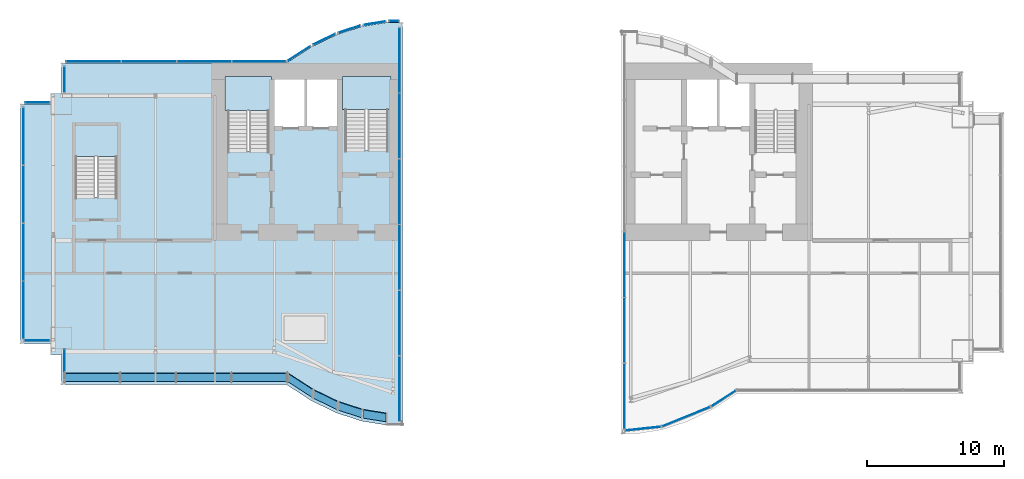
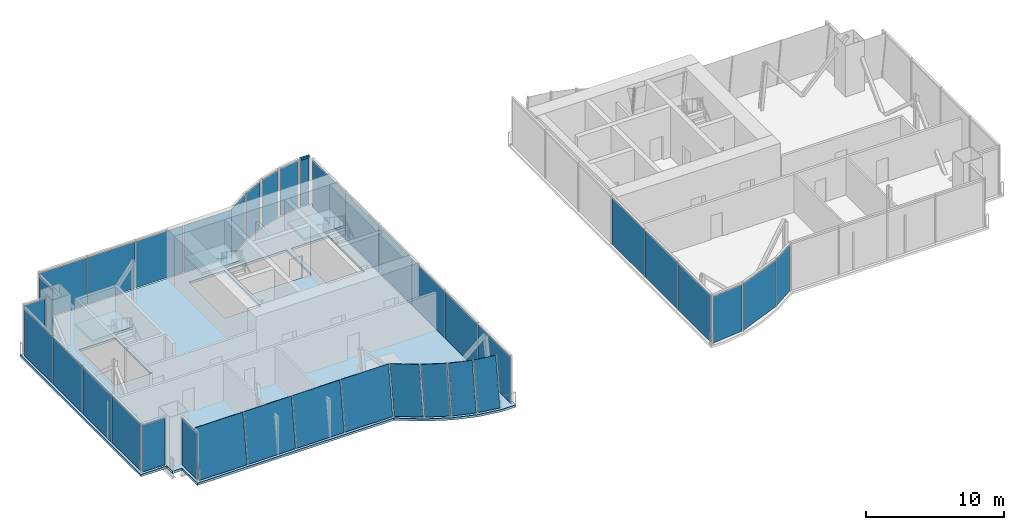
# One storey, part 8 of 14: 37 plates, 4 slabs, 1 member, 22 elements without a shape of their own.
"""IFC4 building model written with IfcOpenShell, lengths in metres."""

import ifcopenshell
import ifcopenshell.guid

model = None  # the IFC model being written
_history = None  # IfcOwnerHistory: only IFC2X3 demands one
_inside = {}  # id of a spatial element -> (the spatial element, [elements in it])
_under = {}  # id of a project, library or spatial element -> (it, [spatial elements below it])
_declared = {}  # id of a project -> (the project, [libraries it declares])
_typed = {}  # id of a type object -> (the type object, [elements of that type])
_made_of = {}  # id of a material, layer set ... -> (it, [elements and type objects made of it])


def new_model(schema):
    """Start an empty IFC model of exactly this schema.

    Asked for "IFC4X3", IfcOpenShell would pick the latest addendum, in which some entities
    have other attributes; the version numbers below select the first issue.
    IFC2X3 requires an IfcOwnerHistory on every rooted entity: one is made here for all.
    """
    global model, _history
    if schema == "IFC4X3":
        model = ifcopenshell.file(schema_version=(4, 3, 0, 0))
    else:
        model = ifcopenshell.file(schema=schema)
    _inside.clear()
    _under.clear()
    _declared.clear()
    _typed.clear()
    _made_of.clear()
    _history = None
    if model.schema == "IFC2X3":
        org = make("IfcOrganization", Name="unknown")
        user = make(
            "IfcPersonAndOrganization",
            ThePerson=make("IfcPerson", FamilyName="unknown"),
            TheOrganization=org,
        )
        app = make(
            "IfcApplication",
            ApplicationDeveloper=org,
            Version="unknown",
            ApplicationFullName="unknown",
            ApplicationIdentifier="unknown",
        )
        _history = make(
            "IfcOwnerHistory",
            OwningUser=user,
            OwningApplication=app,
            ChangeAction="ADDED",
            CreationDate=0,
        )
    return model


def make(cls, **values):
    """One entity of the class cls with the attributes given. An attribute that is None is left unset."""
    return model.create_entity(
        cls, **{name: value for name, value in values.items() if value is not None}
    )


def rooted(cls, **values):
    """An entity with a GlobalId (a new one), such as an element, a storey or a relation."""
    return make(cls, GlobalId=ifcopenshell.guid.new(), OwnerHistory=_history, **values)


def si_unit(unit_type, name, prefix=None):
    """IfcSIUnit, for example si_unit("LENGTHUNIT", "METRE", prefix="MILLI")."""
    return make("IfcSIUnit", UnitType=unit_type, Prefix=prefix, Name=name)


def assignment(units):
    """IfcUnitAssignment: the units of a project."""
    return None if units is None else make("IfcUnitAssignment", Units=units)


def point(xyz):
    """IfcCartesianPoint."""
    return None if xyz is None else make("IfcCartesianPoint", Coordinates=xyz)


def direction(xyz):
    """IfcDirection."""
    return None if xyz is None else make("IfcDirection", DirectionRatios=xyz)


def frame(location, z_axis=None, x_axis=None):
    """IfcAxis2Placement3D, a coordinate frame: its origin and axes. An axis left out is left unset."""
    return make(
        "IfcAxis2Placement3D",
        Location=point(location),
        Axis=direction(z_axis),
        RefDirection=direction(x_axis),
    )


def frame_2d(location, x_axis=None):
    """IfcAxis2Placement2D, a coordinate frame in the plane: its origin and x axis."""
    return make(
        "IfcAxis2Placement2D", Location=point(location), RefDirection=direction(x_axis)
    )


def origin():
    """The frame at (0, 0, 0) with its axes left unset."""
    return frame((0.0, 0.0, 0.0))


def origin_2d():
    """The frame at (0, 0) in the plane with its x axis left unset."""
    return frame_2d((0.0, 0.0))


def place(relative_to, where):
    """IfcLocalPlacement: puts the frame where relative to a parent placement (None: the world)."""
    return make(
        "IfcLocalPlacement", PlacementRelTo=relative_to, RelativePlacement=where
    )


def context(
    kind, dimensions, precision=None, world=None, true_north=None, identifier=None
):
    """IfcGeometricRepresentationContext, for example the 3D "Model" context."""
    return make(
        "IfcGeometricRepresentationContext",
        ContextIdentifier=identifier,
        ContextType=kind,
        CoordinateSpaceDimension=dimensions,
        Precision=precision,
        WorldCoordinateSystem=world,
        TrueNorth=true_north,
    )


def subcontext(parent, identifier, kind, view, scale=None):
    """IfcGeometricRepresentationSubContext, for example "Body" below "Model"."""
    return make(
        "IfcGeometricRepresentationSubContext",
        ContextIdentifier=identifier,
        ContextType=kind,
        ParentContext=parent,
        TargetScale=scale,
        TargetView=view,
    )


def project(units=None, contexts=None):
    """IfcProject with its units and contexts."""
    return rooted(
        "IfcProject",
        Name="project",
        RepresentationContexts=contexts,
        UnitsInContext=assignment(units),
    )


def spatial(cls, under=None, at=None, **own):
    """A site, building, storey or space (cls), placed at a placement, below another one or the project."""
    s = rooted(cls, ObjectPlacement=at, **own)
    if under is not None:
        _under.setdefault(under.id(), (under, []))[1].append(s)
    return s


def polyline(points):
    """IfcPolyline through the points."""
    return make("IfcPolyline", Points=[point(p) for p in points])


def profile(cls, at=None, kind="AREA", **sizes):
    """A parametric profile (cls). Its sizes go by their IFC names, for example OverallWidth=200.0."""
    return make(cls, ProfileType=kind, Position=at, **sizes)


def rectangle(**sizes):
    """IfcRectangleProfileDef."""
    return profile("IfcRectangleProfileDef", **sizes)


def outline(outer, holes=None, kind="AREA"):
    """IfcArbitraryClosedProfileDef: a profile drawn as a closed curve; with holes, ...WithVoids."""
    if holes is None:
        return make("IfcArbitraryClosedProfileDef", ProfileType=kind, OuterCurve=outer)
    return make(
        "IfcArbitraryProfileDefWithVoids",
        ProfileType=kind,
        OuterCurve=outer,
        InnerCurves=holes,
    )


def extrude(swept, where, along, depth):
    """IfcExtrudedAreaSolid: the profile swept, set in the frame where, extruded along a direction by depth."""
    return make(
        "IfcExtrudedAreaSolid",
        SweptArea=swept,
        Position=where,
        ExtrudedDirection=direction(along),
        Depth=depth,
    )


def shape(context_of_items, identifier, shape_type, items):
    """IfcShapeRepresentation: the items that make up one representation, for example the "Body"."""
    return make(
        "IfcShapeRepresentation",
        ContextOfItems=context_of_items,
        RepresentationIdentifier=identifier,
        RepresentationType=shape_type,
        Items=items,
    )


def material(Name=None, Category=None):
    """IfcMaterial."""
    return make("IfcMaterial", Name=Name, Category=Category)


def layer(
    of_material, thickness, ventilated=None, Name=None, Category=None, Priority=None
):
    """IfcMaterialLayer: one layer of a wall or slab, of a material (None: an air gap)."""
    return make(
        "IfcMaterialLayer",
        Material=of_material,
        LayerThickness=thickness,
        IsVentilated=ventilated,
        Name=Name,
        Category=Category,
        Priority=Priority,
    )


def layer_set(layers, Name=None):
    """IfcMaterialLayerSet."""
    return make("IfcMaterialLayerSet", MaterialLayers=layers, LayerSetName=Name)


def material_profile(
    of_material, cross_section, Name=None, Category=None, Priority=None
):
    """IfcMaterialProfile: a cross section and its material."""
    return make(
        "IfcMaterialProfile",
        Name=Name,
        Material=of_material,
        Profile=cross_section,
        Priority=Priority,
        Category=Category,
    )


def profile_set(profiles, Name=None, composite=None):
    """IfcMaterialProfileSet."""
    return make(
        "IfcMaterialProfileSet",
        Name=Name,
        MaterialProfiles=profiles,
        CompositeProfile=composite,
    )


def made_of(thing, what):
    """Note that an element or type object is made of a material, layer set ...; save() writes the relation."""
    if what is not None:
        _made_of.setdefault(what.id(), (what, []))[1].append(thing)
    return thing


def type_object(cls, material=None, **own):
    """A type object (cls), such as IfcWallType, which elements share."""
    return made_of(rooted(cls, **own), material)


def element(
    cls,
    number,
    at=None,
    inside=None,
    cuts=None,
    type_object=None,
    material=None,
    context=None,
    identifier="Body",
    shape_type=None,
    held_by="IfcProductDefinitionShape",
    body=None,
    shapes=None,
    **own,
):
    """One element of the class cls, such as IfcWall. Its Tag is "e" and its number.

    at: its placement. inside: the storey or other place that contains it. cuts: it is an
    opening in that element (IfcRelVoidsElement). A single representation is given by context,
    identifier, shape_type and body (its items); several are given by shapes. held_by: the class
    of the entity that holds the representations. save() writes the other relations.
    """
    e = rooted(cls, Tag="e%d" % number, ObjectPlacement=at, **own)
    if body is not None:
        shapes = [shape(context, identifier, shape_type, body)]
    if shapes is not None:
        e.Representation = make(held_by, Representations=shapes)
    if inside is not None:
        _inside.setdefault(inside.id(), (inside, []))[1].append(e)
    if cuts is not None:
        rooted(
            "IfcRelVoidsElement", RelatingBuildingElement=cuts, RelatedOpeningElement=e
        )
    if type_object is not None:
        _typed.setdefault(type_object.id(), (type_object, []))[1].append(e)
    return made_of(e, material)


def aggregate(whole, parts):
    """IfcRelAggregates: a whole, such as a stair, and the parts it consists of."""
    return rooted("IfcRelAggregates", RelatingObject=whole, RelatedObjects=parts)


def save(model, path):
    """Write the relations noted so far, then the file.

    IfcRelAggregates (storeys below a building ...), IfcRelContainedInSpatialStructure (elements
    in a storey), IfcRelDefinesByType, IfcRelAssociatesMaterial and IfcRelDeclares: one each for
    every whole, place, type object, material and project.
    """
    for whole, parts in _under.values():
        aggregate(whole, parts)
    for where, things in _inside.values():
        rooted(
            "IfcRelContainedInSpatialStructure",
            RelatedElements=things,
            RelatingStructure=where,
        )
    for kind, things in _typed.values():
        rooted("IfcRelDefinesByType", RelatedObjects=things, RelatingType=kind)
    for what, things in _made_of.values():
        rooted("IfcRelAssociatesMaterial", RelatedObjects=things, RelatingMaterial=what)
    for by, libraries in _declared.values():
        rooted("IfcRelDeclares", RelatingContext=by, RelatedDefinitions=libraries)
    model.write(path)


model = new_model("IFC4")

# Units and contexts
model_context = context("Model", 3, precision=1e-05, world=origin(), true_north=direction((0.0, 1.0)))
body_context = subcontext(model_context, "Body", "Model", "MODEL_VIEW")
ifc_project = project(units=[si_unit("LENGTHUNIT", "METRE"), si_unit("AREAUNIT", "SQUARE_METRE"), si_unit("VOLUMEUNIT", "CUBIC_METRE"), si_unit("PLANEANGLEUNIT", "RADIAN"), si_unit("MASSUNIT", "GRAM", prefix="KILO")], contexts=[model_context])

# Site, building, storey
site_placement = place(None, origin())
site = spatial("IfcSite", under=ifc_project, at=site_placement, CompositionType="ELEMENT")
building_placement = place(site_placement, origin())
building = spatial("IfcBuilding", under=site, at=building_placement, Name="Bicima Exchange Tower", CompositionType="ELEMENT")
storey_placement = place(building_placement, frame((0.0, 0.0, 352.39990234375)))
storey = spatial("IfcBuildingStorey", under=building, at=storey_placement, Name="L79", CompositionType="ELEMENT", Elevation=352.39990234375)

# Curtain wall, member
ifc_material_1 = material(Name="Anodised bronze aluminium", Category="aluminium")
curtain_wall_type = type_object("IfcCurtainWallType", Name="Crown glass wall", PredefinedType="NOTDEFINED", material=ifc_material_1)
curtain_wall_1_placement = place(storey_placement, origin())
curtain_wall_1 = element("IfcCurtainWall", 1, at=curtain_wall_1_placement, inside=storey, type_object=curtain_wall_type, Name="Crown glass wall L79 run 3", PredefinedType="NOTDEFINED")
ifc_material_profile = material_profile(ifc_material_1, rectangle(XDim=0.179931640625, YDim=0.159912109375, at=origin_2d()))
ifc_profile_set = profile_set([ifc_material_profile], Name="Anodised bronze aluminium")
member_type = type_object("IfcMemberType", Name="Crown glass wall transom 160 x 180", PredefinedType="USERDEFINED", material=ifc_profile_set)
member_placement = place(storey_placement, frame((-8.2900390625, 3.052978515625, 4.22021484375), z_axis=(-1.0, 0.0, 0.0), x_axis=(0.0, -1.0, 0.0)))
member = element("IfcMember", 2, at=member_placement, type_object=member_type, Name="Crown glass wall transom 1.1", ObjectType="TRANSOM", PredefinedType="USERDEFINED", context=body_context, shape_type="SweptSolid", body=[
    extrude(rectangle(XDim=0.179931640625, YDim=0.159912109375, at=origin_2d()), origin(), (0.0, 0.0, 1.0), 0.708251953125),
])

# Slab
ifc_material_2 = material(Name="Concrete C40/50", Category="concrete")
ifc_layer_1 = layer(ifc_material_2, 0.199951171875)
ifc_layer_set_1 = layer_set([ifc_layer_1], Name="Concrete C40/50")
slab_type_1 = type_object("IfcSlabType", Name="Composite floor slab 200", PredefinedType="FLOOR", material=ifc_layer_set_1)
slab_1_placement = place(storey_placement, frame((0.0, 0.0, -0.199951171875)))
element("IfcSlab", 3, at=slab_1_placement, inside=storey, type_object=slab_type_1, Name="Floor slab", PredefinedType="FLOOR", context=body_context, shape_type="SweptSolid", body=[
    extrude(outline(polyline([(-33.800048828125, -20.5556640625), (-36.0, -20.5556640625), (-36.0, -3.0), (-33.800048828125, -3.0), (-33.800048828125, -2.199951171875), (-33.0, -2.199951171875), (-33.0, 0.0), (-16.5, 0.0), (-14.666748046875, 1.185302734375), (-12.833251953125, 2.07421875), (-11.0, 2.666748046875), (-9.166748046875, 2.962890625), (-8.0, 2.962890625), (-8.0, -26.5185546875), (-9.166748046875, -26.5185546875), (-11.0, -26.22216796875), (-12.833251953125, -25.629638671875), (-14.666748046875, -24.74072265625), (-16.5, -23.5556640625), (-33.0, -23.5556640625), (-33.0, -21.355712890625), (-33.800048828125, -21.355712890625), (-33.800048828125, -20.5556640625)]), holes=[polyline([(-28.925048828125, -4.625), (-31.97509765625, -4.625), (-31.97509765625, -9.824951171875), (-28.925048828125, -9.824951171875), (-28.925048828125, -4.625)]), polyline([(-17.800048828125, -1.199951171875), (-20.800048828125, -1.199951171875), (-20.800048828125, -6.449951171875), (-17.800048828125, -6.449951171875), (-17.800048828125, -1.199951171875)]), polyline([(-9.074951171875, -1.199951171875), (-12.22509765625, -1.199951171875), (-12.22509765625, -6.39990234375), (-9.074951171875, -6.39990234375), (-9.074951171875, -1.199951171875)]), polyline([(-12.60009765625, -1.199951171875), (-15.10009765625, -1.199951171875), (-17.60009765625, -1.199951171875), (-17.60009765625, -4.800048828125), (-15.10009765625, -4.800048828125), (-12.60009765625, -4.800048828125), (-12.60009765625, -1.199951171875)])]), origin(), (0.0, 0.0, 1.0), 0.199951171875),
])

# Curtain wall, plates
curtain_wall_2_placement = place(storey_placement, origin())
curtain_wall_2 = element("IfcCurtainWall", 4, at=curtain_wall_2_placement, inside=storey, type_object=curtain_wall_type, Name="Crown glass wall L79 run 2", PredefinedType="NOTDEFINED")
ifc_material_3 = material(Name="Bronze tinted glass", Category="glass")
ifc_layer_2 = layer(ifc_material_3, 0.035888671875)
ifc_layer_set_2 = layer_set([ifc_layer_2], Name="Bronze tinted glass")
plate_type = type_object("IfcPlateType", Name="Crown glass wall glass panel 36", PredefinedType="CURTAIN_PANEL", material=ifc_layer_set_2)
plate_1_placement = place(storey_placement, frame((-8.22998046875, -23.8525390625, 0.0), z_axis=(0.0, 0.0, 1.0), x_axis=(0.0, 1.0, 0.0)))
plate_1 = element("IfcPlate", 5, at=plate_1_placement, type_object=plate_type, Name="Crown glass wall panel 1.1", PredefinedType="CURTAIN_PANEL", context=body_context, shape_type="SweptSolid", body=[
    extrude(rectangle(XDim=4.751953125, YDim=0.035888671875, at=origin_2d()), origin(), (0.0, 0.0, 1.0), 4.139892578125),
])
plate_2_placement = place(storey_placement, frame((-8.22998046875, -19.04052734375, 0.0), z_axis=(0.0, 0.0, 1.0), x_axis=(0.0, 1.0, 0.0)))
plate_2 = element("IfcPlate", 6, at=plate_2_placement, type_object=plate_type, Name="Crown glass wall panel 2.1", PredefinedType="CURTAIN_PANEL", context=body_context, shape_type="SweptSolid", body=[
    extrude(rectangle(XDim=4.751953125, YDim=0.035888671875, at=origin_2d()), origin(), (0.0, 0.0, 1.0), 4.139892578125),
])
plate_3_placement = place(storey_placement, frame((-8.22998046875, -14.228759765625, 0.0), z_axis=(0.0, 0.0, 1.0), x_axis=(0.0, 1.0, 0.0)))
plate_3 = element("IfcPlate", 7, at=plate_3_placement, type_object=plate_type, Name="Crown glass wall panel 3.1", PredefinedType="CURTAIN_PANEL", context=body_context, shape_type="SweptSolid", body=[
    extrude(rectangle(XDim=4.751953125, YDim=0.035888671875, at=origin_2d()), origin(), (0.0, 0.0, 1.0), 4.139892578125),
])
plate_4_placement = place(storey_placement, frame((-8.22998046875, -9.416748046875, 0.0), z_axis=(0.0, 0.0, 1.0), x_axis=(0.0, 1.0, 0.0)))
plate_4 = element("IfcPlate", 8, at=plate_4_placement, type_object=plate_type, Name="Crown glass wall panel 4.1", PredefinedType="CURTAIN_PANEL", context=body_context, shape_type="SweptSolid", body=[
    extrude(rectangle(XDim=4.751953125, YDim=0.035888671875, at=origin_2d()), origin(), (0.0, 0.0, 1.0), 4.139892578125),
])
plate_5_placement = place(storey_placement, frame((-8.22998046875, -4.60498046875, 0.0), z_axis=(0.0, 0.0, 1.0), x_axis=(0.0, 1.0, 0.0)))
plate_5 = element("IfcPlate", 9, at=plate_5_placement, type_object=plate_type, Name="Crown glass wall panel 5.1", PredefinedType="CURTAIN_PANEL", context=body_context, shape_type="SweptSolid", body=[
    extrude(rectangle(XDim=4.751953125, YDim=0.035888671875, at=origin_2d()), origin(), (0.0, 0.0, 1.0), 4.139892578125),
])
plate_6_placement = place(storey_placement, frame((-8.22998046875, 0.20703125, 0.0), z_axis=(0.0, 0.0, 1.0), x_axis=(0.0, 1.0, 0.0)))
plate_6 = element("IfcPlate", 10, at=plate_6_placement, type_object=plate_type, Name="Crown glass wall panel 6.1", PredefinedType="CURTAIN_PANEL", context=body_context, shape_type="SweptSolid", body=[
    extrude(rectangle(XDim=4.751953125, YDim=0.035888671875, at=origin_2d()), origin(), (0.0, 0.0, 1.0), 4.139892578125),
])
aggregate(curtain_wall_2, [plate_1, plate_2, plate_3, plate_4, plate_5, plate_6])

# Plate
plate_7_placement = place(storey_placement, frame((-8.64404296875, 3.052978515625, 0.0), z_axis=(0.0, 0.0, 1.0), x_axis=(-1.0, 0.0, 0.0)))
plate_7 = element("IfcPlate", 11, at=plate_7_placement, type_object=plate_type, Name="Crown glass wall panel 1.1", PredefinedType="CURTAIN_PANEL", context=body_context, shape_type="SweptSolid", body=[
    extrude(rectangle(XDim=0.708251953125, YDim=0.035888671875, at=origin_2d()), origin(), (0.0, 0.0, 1.0), 4.139892578125),
])

aggregate(curtain_wall_1, [member, plate_7])

# Curtain wall, plate
curtain_wall_3_placement = place(storey_placement, origin())
curtain_wall_3 = element("IfcCurtainWall", 12, at=curtain_wall_3_placement, inside=storey, type_object=curtain_wall_type, Name="Crown glass wall L79 run 4", PredefinedType="NOTDEFINED")
plate_8_placement = place(storey_placement, frame((-10.0537109375, 2.910888671875, 0.0), z_axis=(0.0, 0.0, 1.0), x_axis=(-0.987189786347, -0.159550386184, 0.0)))
plate_8 = element("IfcPlate", 13, at=plate_8_placement, type_object=plate_type, Name="Crown glass wall panel 1.1", PredefinedType="CURTAIN_PANEL", context=body_context, shape_type="SweptSolid", body=[
    extrude(rectangle(XDim=1.611083984375, YDim=0.035888671875, at=origin_2d()), origin(), (0.0, 0.0, 1.0), 4.139892578125),
])
aggregate(curtain_wall_3, [plate_8])

curtain_wall_4_placement = place(storey_placement, origin())
curtain_wall_4 = element("IfcCurtainWall", 14, at=curtain_wall_4_placement, inside=storey, type_object=curtain_wall_type, Name="Crown glass wall L79 run 5", PredefinedType="NOTDEFINED")
plate_9_placement = place(storey_placement, frame((-11.90234375, 2.469482421875, 0.0), z_axis=(0.0, 0.0, 1.0), x_axis=(-0.951524642381, -0.307572519808, 0.0)))
plate_9 = element("IfcPlate", 15, at=plate_9_placement, type_object=plate_type, Name="Crown glass wall panel 1.1", PredefinedType="CURTAIN_PANEL", context=body_context, shape_type="SweptSolid", body=[
    extrude(rectangle(XDim=1.68310546875, YDim=0.035888671875, at=origin_2d()), origin(), (0.0, 0.0, 1.0), 4.139892578125),
])
aggregate(curtain_wall_4, [plate_9])

curtain_wall_5_placement = place(storey_placement, origin())
curtain_wall_5 = element("IfcCurtainWall", 16, at=curtain_wall_5_placement, inside=storey, type_object=curtain_wall_type, Name="Crown glass wall L79 run 6", PredefinedType="NOTDEFINED")
plate_10_placement = place(storey_placement, frame((-13.74951171875, 1.72998046875, 0.0), z_axis=(0.0, 0.0, 1.0), x_axis=(-0.899818346812, -0.436264762204, 0.0)))
plate_10 = element("IfcPlate", 17, at=plate_10_placement, type_object=plate_type, Name="Crown glass wall panel 1.1", PredefinedType="CURTAIN_PANEL", context=body_context, shape_type="SweptSolid", body=[
    extrude(rectangle(XDim=1.79736328125, YDim=0.035888671875, at=origin_2d()), origin(), (0.0, 0.0, 1.0), 4.139892578125),
])
aggregate(curtain_wall_5, [plate_10])

curtain_wall_6_placement = place(storey_placement, origin())
curtain_wall_6 = element("IfcCurtainWall", 18, at=curtain_wall_6_placement, inside=storey, type_object=curtain_wall_type, Name="Crown glass wall L79 run 7", PredefinedType="NOTDEFINED")
plate_11_placement = place(storey_placement, frame((-15.62890625, 0.67041015625, 0.0), z_axis=(0.0, 0.0, 1.0), x_axis=(-0.839790466384, -0.542910648791, 0.0)))
plate_11 = element("IfcPlate", 19, at=plate_11_placement, type_object=plate_type, Name="Crown glass wall panel 1.1", PredefinedType="CURTAIN_PANEL", context=body_context, shape_type="SweptSolid", body=[
    extrude(rectangle(XDim=2.02685546875, YDim=0.035888671875, at=origin_2d()), origin(), (0.0, 0.0, 1.0), 4.139892578125),
])
aggregate(curtain_wall_6, [plate_11])

# Curtain wall, plates
curtain_wall_7_placement = place(storey_placement, origin())
curtain_wall_7 = element("IfcCurtainWall", 20, at=curtain_wall_7_placement, inside=storey, type_object=curtain_wall_type, Name="Crown glass wall L79 run 8", PredefinedType="NOTDEFINED")
plate_12_placement = place(storey_placement, frame((-18.485595703125, 0.090087890625, 0.0), z_axis=(0.0, 0.0, 1.0), x_axis=(-1.0, 0.0, 0.0)))
plate_12 = element("IfcPlate", 21, at=plate_12_placement, type_object=plate_type, Name="Crown glass wall panel 1.1", PredefinedType="CURTAIN_PANEL", context=body_context, shape_type="SweptSolid", body=[
    extrude(rectangle(XDim=3.987060546875, YDim=0.035888671875, at=origin_2d()), origin(), (0.0, 0.0, 1.0), 4.139892578125),
])
plate_13_placement = place(storey_placement, frame((-22.53271484375, 0.090087890625, 0.0), z_axis=(0.0, 0.0, 1.0), x_axis=(-1.0, 0.0, 0.0)))
plate_13 = element("IfcPlate", 22, at=plate_13_placement, type_object=plate_type, Name="Crown glass wall panel 2.1", PredefinedType="CURTAIN_PANEL", context=body_context, shape_type="SweptSolid", body=[
    extrude(rectangle(XDim=3.987060546875, YDim=0.035888671875, at=origin_2d()), origin(), (0.0, 0.0, 1.0), 4.139892578125),
])
plate_14_placement = place(storey_placement, frame((-26.57958984375, 0.090087890625, 0.0), z_axis=(0.0, 0.0, 1.0), x_axis=(-1.0, 0.0, 0.0)))
plate_14 = element("IfcPlate", 23, at=plate_14_placement, type_object=plate_type, Name="Crown glass wall panel 3.1", PredefinedType="CURTAIN_PANEL", context=body_context, shape_type="SweptSolid", body=[
    extrude(rectangle(XDim=3.987060546875, YDim=0.035888671875, at=origin_2d()), origin(), (0.0, 0.0, 1.0), 4.139892578125),
])
plate_15_placement = place(storey_placement, frame((-30.62646484375, 0.090087890625, 0.0), z_axis=(0.0, 0.0, 1.0), x_axis=(-1.0, 0.0, 0.0)))
plate_15 = element("IfcPlate", 24, at=plate_15_placement, type_object=plate_type, Name="Crown glass wall panel 4.1", PredefinedType="CURTAIN_PANEL", context=body_context, shape_type="SweptSolid", body=[
    extrude(rectangle(XDim=3.987060546875, YDim=0.035888671875, at=origin_2d()), origin(), (0.0, 0.0, 1.0), 4.139892578125),
])
aggregate(curtain_wall_7, [plate_12, plate_13, plate_14, plate_15])

# Curtain wall, plate
curtain_wall_8_placement = place(storey_placement, origin())
curtain_wall_8 = element("IfcCurtainWall", 25, at=curtain_wall_8_placement, inside=storey, type_object=curtain_wall_type, Name="Crown glass wall L79 run 9", PredefinedType="NOTDEFINED")
plate_16_placement = place(storey_placement, frame((-32.77001953125, -1.215087890625, 0.0), z_axis=(0.0, 0.0, 1.0), x_axis=(0.0, -1.0, 0.0)))
plate_16 = element("IfcPlate", 26, at=plate_16_placement, type_object=plate_type, Name="Crown glass wall panel 1.1", PredefinedType="CURTAIN_PANEL", context=body_context, shape_type="SweptSolid", body=[
    extrude(rectangle(XDim=1.85009765625, YDim=0.035888671875, at=origin_2d()), origin(), (0.0, 0.0, 1.0), 4.139892578125),
])
aggregate(curtain_wall_8, [plate_16])

curtain_wall_9_placement = place(storey_placement, origin())
curtain_wall_9 = element("IfcCurtainWall", 27, at=curtain_wall_9_placement, inside=storey, type_object=curtain_wall_type, Name="Crown glass wall L79 run 10", PredefinedType="NOTDEFINED")
plate_17_placement = place(storey_placement, frame((-34.739990234375, -2.909912109375, 0.0), z_axis=(0.0, 0.0, 1.0), x_axis=(-1.0, 0.0, 0.0)))
plate_17 = element("IfcPlate", 28, at=plate_17_placement, type_object=plate_type, Name="Crown glass wall panel 1.1", PredefinedType="CURTAIN_PANEL", context=body_context, shape_type="SweptSolid", body=[
    extrude(rectangle(XDim=1.760009765625, YDim=0.035888671875, at=origin_2d()), origin(), (0.0, 0.0, 1.0), 4.139892578125),
])
aggregate(curtain_wall_9, [plate_17])

# Curtain wall, plates
curtain_wall_10_placement = place(storey_placement, origin())
curtain_wall_10 = element("IfcCurtainWall", 29, at=curtain_wall_10_placement, inside=storey, type_object=curtain_wall_type, Name="Crown glass wall L79 run 11", PredefinedType="NOTDEFINED")
plate_18_placement = place(storey_placement, frame((-35.77001953125, -5.378173828125, 0.0), z_axis=(0.0, 0.0, 1.0), x_axis=(0.0, -1.0, 0.0)))
plate_18 = element("IfcPlate", 30, at=plate_18_placement, type_object=plate_type, Name="Crown glass wall panel 1.1", PredefinedType="CURTAIN_PANEL", context=body_context, shape_type="SweptSolid", body=[
    extrude(rectangle(XDim=4.176513671875, YDim=0.035888671875, at=origin_2d()), origin(), (0.0, 0.0, 1.0), 4.139892578125),
])
plate_19_placement = place(storey_placement, frame((-35.77001953125, -9.614501953125, 0.0), z_axis=(0.0, 0.0, 1.0), x_axis=(0.0, -1.0, 0.0)))
plate_19 = element("IfcPlate", 31, at=plate_19_placement, type_object=plate_type, Name="Crown glass wall panel 2.1", PredefinedType="CURTAIN_PANEL", context=body_context, shape_type="SweptSolid", body=[
    extrude(rectangle(XDim=4.176513671875, YDim=0.035888671875, at=origin_2d()), origin(), (0.0, 0.0, 1.0), 4.139892578125),
])
plate_20_placement = place(storey_placement, frame((-35.77001953125, -13.85107421875, 0.0), z_axis=(0.0, 0.0, 1.0), x_axis=(0.0, -1.0, 0.0)))
plate_20 = element("IfcPlate", 32, at=plate_20_placement, type_object=plate_type, Name="Crown glass wall panel 3.1", PredefinedType="CURTAIN_PANEL", context=body_context, shape_type="SweptSolid", body=[
    extrude(rectangle(XDim=4.176513671875, YDim=0.035888671875, at=origin_2d()), origin(), (0.0, 0.0, 1.0), 4.139892578125),
])
plate_21_placement = place(storey_placement, frame((-35.77001953125, -18.08740234375, 0.0), z_axis=(0.0, 0.0, 1.0), x_axis=(0.0, -1.0, 0.0)))
plate_21 = element("IfcPlate", 33, at=plate_21_placement, type_object=plate_type, Name="Crown glass wall panel 4.1", PredefinedType="CURTAIN_PANEL", context=body_context, shape_type="SweptSolid", body=[
    extrude(rectangle(XDim=4.176513671875, YDim=0.035888671875, at=origin_2d()), origin(), (0.0, 0.0, 1.0), 4.139892578125),
])
aggregate(curtain_wall_10, [plate_18, plate_19, plate_20, plate_21])

# Curtain wall, plate
curtain_wall_11_placement = place(storey_placement, origin())
curtain_wall_11 = element("IfcCurtainWall", 34, at=curtain_wall_11_placement, inside=storey, type_object=curtain_wall_type, Name="Crown glass wall L79 run 12", PredefinedType="NOTDEFINED")
plate_22_placement = place(storey_placement, frame((-34.784912109375, -20.32568359375, 0.0), z_axis=(0.0, 0.0, 1.0), x_axis=(1.0, 0.0, 0.0)))
plate_22 = element("IfcPlate", 35, at=plate_22_placement, type_object=plate_type, Name="Crown glass wall panel 1.1", PredefinedType="CURTAIN_PANEL", context=body_context, shape_type="SweptSolid", body=[
    extrude(rectangle(XDim=1.85009765625, YDim=0.035888671875, at=origin_2d()), origin(), (0.0, 0.0, 1.0), 4.139892578125),
])
aggregate(curtain_wall_11, [plate_22])

curtain_wall_12_placement = place(storey_placement, origin())
curtain_wall_12 = element("IfcCurtainWall", 36, at=curtain_wall_12_placement, inside=storey, type_object=curtain_wall_type, Name="Crown glass wall L79 run 13", PredefinedType="NOTDEFINED")
plate_23_placement = place(storey_placement, frame((-32.77001953125, -22.076416015625, 0.0), z_axis=(0.0, 0.0, 1.0), x_axis=(0.0, -1.0, 0.0)))
plate_23 = element("IfcPlate", 37, at=plate_23_placement, type_object=plate_type, Name="Crown glass wall panel 1.1", PredefinedType="CURTAIN_PANEL", context=body_context, shape_type="SweptSolid", body=[
    extrude(rectangle(XDim=2.1982421875, YDim=0.035888671875, at=origin_2d()), origin(), (0.0, 0.0, 1.0), 4.139892578125),
])
aggregate(curtain_wall_12, [plate_23])

# Curtain wall, plates
curtain_wall_13_placement = place(storey_placement, origin())
curtain_wall_13 = element("IfcCurtainWall", 38, at=curtain_wall_13_placement, inside=storey, type_object=curtain_wall_type, Name="Crown tilted glass L79 14.1", PredefinedType="NOTDEFINED")
plate_24_placement = place(storey_placement, frame((-32.7099609375, -23.32568359375, 0.0), z_axis=(0.0, -0.990262998319, 0.139209174124), x_axis=(1.0, 0.0, 0.0)))
plate_24 = element("IfcPlate", 39, at=plate_24_placement, type_object=plate_type, Name="Crown tilted glass panel 1", PredefinedType="CURTAIN_PANEL", context=body_context, shape_type="SweptSolid", body=[
    extrude(outline(polyline([(0.0, 0.0), (4.009521484375, 0.0), (4.009521484375, 4.342330103643402), (0.0, 4.342330103643402), (0.0, 0.0)])), origin(), (0.0, 0.0, -1.0), 0.035888671875),
])
plate_25_placement = place(storey_placement, frame((-28.640380859375, -23.32568359375, 0.0), z_axis=(0.0, -0.990262998319, 0.139209174124), x_axis=(1.0, 0.0, 0.0)))
plate_25 = element("IfcPlate", 40, at=plate_25_placement, type_object=plate_type, Name="Crown tilted glass panel 2", PredefinedType="CURTAIN_PANEL", context=body_context, shape_type="SweptSolid", body=[
    extrude(outline(polyline([(0.0, 0.0), (4.00927734375, 0.0), (4.00927734375, 4.342330103643403), (0.0, 4.342330103643403), (0.0, 0.0)])), origin(), (0.0, 0.0, -1.0), 0.035888671875),
])
plate_26_placement = place(storey_placement, frame((-24.571044921875, -23.32568359375, 0.0), z_axis=(0.0, -0.990262998319, 0.139209174124), x_axis=(1.0, 0.0, 0.0)))
plate_26 = element("IfcPlate", 41, at=plate_26_placement, type_object=plate_type, Name="Crown tilted glass panel 3", PredefinedType="CURTAIN_PANEL", context=body_context, shape_type="SweptSolid", body=[
    extrude(outline(polyline([(0.0, 0.0), (4.009521484375, 0.0), (4.009521484375, 4.342330103643402), (0.0, 4.342330103643402), (0.0, 0.0)])), origin(), (0.0, 0.0, -1.0), 0.035888671875),
])
plate_27_placement = place(storey_placement, frame((-20.501708984375, -23.32568359375, 0.0), z_axis=(0.0, -0.990262998319, 0.139209174124), x_axis=(1.0, 0.0, 0.0)))
plate_27 = element("IfcPlate", 42, at=plate_27_placement, type_object=plate_type, Name="Crown tilted glass panel 4", PredefinedType="CURTAIN_PANEL", context=body_context, shape_type="SweptSolid", body=[
    extrude(outline(polyline([(0.0, 0.0), (4.009521484375, 0.0), (4.009521484375, 4.342330103643402), (0.0, 4.342330103643402), (0.0, 0.0)])), origin(), (0.0, 0.0, -1.0), 0.035888671875),
])
aggregate(curtain_wall_13, [plate_24, plate_25, plate_26, plate_27])

# Curtain wall, plate
curtain_wall_14_placement = place(storey_placement, origin())
curtain_wall_14 = element("IfcCurtainWall", 43, at=curtain_wall_14_placement, inside=storey, type_object=curtain_wall_type, Name="Crown tilted glass L79 15.1", PredefinedType="NOTDEFINED")
plate_28_placement = place(storey_placement, frame((-16.381591796875, -23.358154296875, 0.0), z_axis=(-0.539165654142, -0.834005763291, 0.117195495608), x_axis=(0.839792890287, -0.542906899407, 0.0)))
plate_28 = element("IfcPlate", 44, at=plate_28_placement, type_object=plate_type, Name="Crown tilted glass panel 1", PredefinedType="CURTAIN_PANEL", context=body_context, shape_type="SweptSolid", body=[
    extrude(outline(polyline([(0.0, 0.0), (2.116697951583747, 0.0), (1.7886475179822423, 4.3298866658869155), (-0.3280504336015047, 4.3298866658869155), (0.0, 0.0)])), origin(), (0.0, 0.0, -1.0), 0.035888671875),
])
aggregate(curtain_wall_14, [plate_28])

curtain_wall_15_placement = place(storey_placement, origin())
curtain_wall_15 = element("IfcCurtainWall", 45, at=curtain_wall_15_placement, inside=storey, type_object=curtain_wall_type, Name="Crown tilted glass L79 16.1", PredefinedType="NOTDEFINED")
plate_29_placement = place(storey_placement, frame((-14.499755859375, -24.566162109375, 0.0), z_axis=(-0.432713474822, -0.892760274121, 0.125451750324), x_axis=(0.899869493305, -0.436159254194, 0.0)))
plate_29 = element("IfcPlate", 46, at=plate_29_placement, type_object=plate_type, Name="Crown tilted glass panel 1", PredefinedType="CURTAIN_PANEL", context=body_context, shape_type="SweptSolid", body=[
    extrude(outline(polyline([(0.0, 0.0), (1.8874807299962906, 1.3877787807814457e-17), (1.623932352523343, 4.3342909315299565), (-0.26354837747294785, 4.3342909315299565), (0.0, 0.0)])), origin(), (0.0, 0.0, -1.0), 0.035888671875),
])
aggregate(curtain_wall_15, [plate_29])

curtain_wall_16_placement = place(storey_placement, origin())
curtain_wall_16 = element("IfcCurtainWall", 47, at=curtain_wall_16_placement, inside=storey, type_object=curtain_wall_type, Name="Crown tilted glass L79 17.1", PredefinedType="NOTDEFINED")
plate_30_placement = place(storey_placement, frame((-12.690185546875, -25.43408203125, 0.0), z_axis=(-0.304908856008, -0.943115575208, 0.132527737957), x_axis=(0.951508549588, -0.307622300981, 0.0)))
plate_30 = element("IfcPlate", 48, at=plate_30_placement, type_object=plate_type, Name="Crown tilted glass panel 1", PredefinedType="CURTAIN_PANEL", context=body_context, shape_type="SweptSolid", body=[
    extrude(outline(polyline([(0.0, 0.0), (1.772986400889888, 0.0), (1.5871062263468465, 4.33831582381035), (-0.18588017454304137, 4.33831582381035), (0.0, 0.0)])), origin(), (0.0, 0.0, -1.0), 0.035888671875),
])
aggregate(curtain_wall_16, [plate_30])

curtain_wall_17_placement = place(storey_placement, origin())
curtain_wall_17 = element("IfcCurtainWall", 49, at=curtain_wall_17_placement, inside=storey, type_object=curtain_wall_type, Name="Crown tilted glass L79 18.1", PredefinedType="NOTDEFINED")
plate_31_placement = place(storey_placement, frame((-10.88671875, -26.007568359375, 0.0), z_axis=(-0.157950018101, -0.97783998605, 0.137407254044), x_axis=(0.987203973885, -0.159462578509, 0.0)))
plate_31 = element("IfcPlate", 50, at=plate_31_placement, type_object=plate_type, Name="Crown tilted glass panel 1", PredefinedType="CURTAIN_PANEL", context=body_context, shape_type="SweptSolid", body=[
    extrude(outline(polyline([(0.0, 0.0), (1.7009648088641973, 6.938893903907228e-18), (1.604609857250324, 4.341226940590751), (-0.09635495161387332, 4.341226940590751), (0.0, 0.0)])), origin(), (0.0, 0.0, -1.0), 0.035888671875),
])
aggregate(curtain_wall_17, [plate_31])

# Curtain wall, plates
curtain_wall_18_placement = place(storey_placement, origin())
curtain_wall_18 = element("IfcCurtainWall", 51, at=curtain_wall_18_placement, inside=storey, type_object=curtain_wall_type, Name="Crown glass wall L79 run 8", PredefinedType="NOTDEFINED")
plate_32_placement = place(storey_placement, frame((8.22998046875, -14.771240234375, 0.0), z_axis=(0.0, 0.0, 1.0), x_axis=(0.0, -1.0, 0.0)))
plate_32 = element("IfcPlate", 52, at=plate_32_placement, type_object=plate_type, Name="Crown glass wall panel 4.1", PredefinedType="CURTAIN_PANEL", context=body_context, shape_type="SweptSolid", body=[
    extrude(rectangle(XDim=4.751953125, YDim=0.035888671875, at=origin_2d()), origin(), (0.0, 0.0, 1.0), 4.139892578125),
])
plate_33_placement = place(storey_placement, frame((8.22998046875, -19.5830078125, 0.0), z_axis=(0.0, 0.0, 1.0), x_axis=(0.0, -1.0, 0.0)))
plate_33 = element("IfcPlate", 53, at=plate_33_placement, type_object=plate_type, Name="Crown glass wall panel 5.1", PredefinedType="CURTAIN_PANEL", context=body_context, shape_type="SweptSolid", body=[
    extrude(rectangle(XDim=4.751953125, YDim=0.035888671875, at=origin_2d()), origin(), (0.0, 0.0, 1.0), 4.139892578125),
])
plate_34_placement = place(storey_placement, frame((8.22998046875, -24.39501953125, 0.0), z_axis=(0.0, 0.0, 1.0), x_axis=(0.0, -1.0, 0.0)))
plate_34 = element("IfcPlate", 54, at=plate_34_placement, type_object=plate_type, Name="Crown glass wall panel 6.1", PredefinedType="CURTAIN_PANEL", context=body_context, shape_type="SweptSolid", body=[
    extrude(rectangle(XDim=4.751953125, YDim=0.035888671875, at=origin_2d()), origin(), (0.0, 0.0, 1.0), 4.139892578125),
])
aggregate(curtain_wall_18, [plate_32, plate_33, plate_34])

curtain_wall_19_placement = place(storey_placement, origin())
curtain_wall_19 = element("IfcCurtainWall", 55, at=curtain_wall_19_placement, inside=storey, type_object=curtain_wall_type, Name="Crown glass wall L79 run 9", PredefinedType="NOTDEFINED")
plate_35_placement = place(storey_placement, frame((9.587890625, -26.775634765625, 0.0), z_axis=(0.0, 0.0, 1.0), x_axis=(0.994326439433, 0.106371668434, 0.0)))
plate_35 = element("IfcPlate", 56, at=plate_35_placement, type_object=plate_type, Name="Crown glass wall panel 1.1", PredefinedType="CURTAIN_PANEL", context=body_context, shape_type="SweptSolid", body=[
    extrude(rectangle(XDim=2.611572265625, YDim=0.035888671875, at=origin_2d()), origin(), (0.0, 0.0, 1.0), 4.139892578125),
])
plate_36_placement = place(storey_placement, frame((12.749755859375, -25.9013671875, 0.0), z_axis=(0.0, 0.0, 1.0), x_axis=(0.92714396679, 0.374705304, 0.0)))
plate_36 = element("IfcPlate", 57, at=plate_36_placement, type_object=plate_type, Name="Crown glass wall panel 1.1", PredefinedType="CURTAIN_PANEL", context=body_context, shape_type="SweptSolid", body=[
    extrude(rectangle(XDim=3.771240234375, YDim=0.035888671875, at=origin_2d()), origin(), (0.0, 0.0, 1.0), 4.139892578125),
])
plate_37_placement = place(storey_placement, frame((15.492919921875, -24.565185546875, 0.0), z_axis=(0.0, 0.0, 1.0), x_axis=(0.839790466384, 0.542910648791, 0.0)))
plate_37 = element("IfcPlate", 58, at=plate_37_placement, type_object=plate_type, Name="Crown glass wall panel 1.1", PredefinedType="CURTAIN_PANEL", context=body_context, shape_type="SweptSolid", body=[
    extrude(rectangle(XDim=2.11669921875, YDim=0.035888671875, at=origin_2d()), origin(), (0.0, 0.0, 1.0), 4.139892578125),
])
aggregate(curtain_wall_19, [plate_35, plate_36, plate_37])

# Stair, slab
ifc_material_4 = material(Name="Concrete C50/60", Category="concrete")
stair_type_1 = type_object("IfcStairType", Name="Exit stair", PredefinedType="HALF_TURN_STAIR", material=ifc_material_4)
stair_1_placement = place(storey_placement, origin())
stair_1 = element("IfcStair", 59, at=stair_1_placement, inside=storey, type_object=stair_type_1, Name="L79 West exit stair", PredefinedType="HALF_TURN_STAIR")
ifc_layer_3 = layer(ifc_material_4, 0.199951171875)
ifc_layer_set_3 = layer_set([ifc_layer_3], Name="Concrete C50/60")
slab_type_2 = type_object("IfcSlabType", Name="Stair landing slab", PredefinedType="LANDING", material=ifc_layer_set_3)
slab_2_placement = place(storey_placement, frame((0.0, 0.0, 2.050048828125)))
slab_2 = element("IfcSlab", 60, at=slab_2_placement, type_object=slab_type_2, Name="ST-W landing 1", PredefinedType="LANDING", context=body_context, shape_type="SweptSolid", body=[
    extrude(outline(polyline([(-17.60009765625, -3.469970703125), (-17.60009765625, -1.0), (-21.0, -1.0), (-21.0, -3.469970703125), (-17.60009765625, -3.469970703125)])), origin(), (0.0, 0.0, 1.0), 0.199951171875),
])
aggregate(stair_1, [slab_2])

stair_type_2 = type_object("IfcStairType", Name="Exit stair 1500", PredefinedType="HALF_TURN_STAIR", material=ifc_material_4)
stair_2_placement = place(storey_placement, origin())
stair_2 = element("IfcStair", 61, at=stair_2_placement, inside=storey, type_object=stair_type_2, Name="L79 Crown exit stair", PredefinedType="HALF_TURN_STAIR")
slab_3_placement = place(storey_placement, frame((0.0, 0.0, 2.050048828125)))
slab_3 = element("IfcSlab", 62, at=slab_3_placement, type_object=slab_type_2, Name="ST-CR landing 1", PredefinedType="LANDING", context=body_context, shape_type="SweptSolid", body=[
    extrude(outline(polyline([(-8.875, -3.419921875), (-8.875, -1.0), (-12.425048828125, -1.0), (-12.425048828125, -3.419921875), (-8.875, -3.419921875)])), origin(), (0.0, 0.0, 1.0), 0.199951171875),
])
aggregate(stair_2, [slab_3])

stair_3_placement = place(storey_placement, origin())
stair_3 = element("IfcStair", 63, at=stair_3_placement, inside=storey, type_object=stair_type_1, Name="L79 West end exit stair", PredefinedType="HALF_TURN_STAIR")
slab_4_placement = place(storey_placement, frame((0.0, 0.0, 2.050048828125)))
slab_4 = element("IfcSlab", 64, at=slab_4_placement, type_object=slab_type_2, Name="ST-WW landing 1", PredefinedType="LANDING", context=body_context, shape_type="SweptSolid", body=[
    extrude(outline(polyline([(-28.72509765625, -6.844970703125), (-28.72509765625, -4.425048828125), (-32.175048828125, -4.425048828125), (-32.175048828125, -6.844970703125), (-28.72509765625, -6.844970703125)])), origin(), (0.0, 0.0, 1.0), 0.199951171875),
])
aggregate(stair_3, [slab_4])

save(model, "model.ifc")
